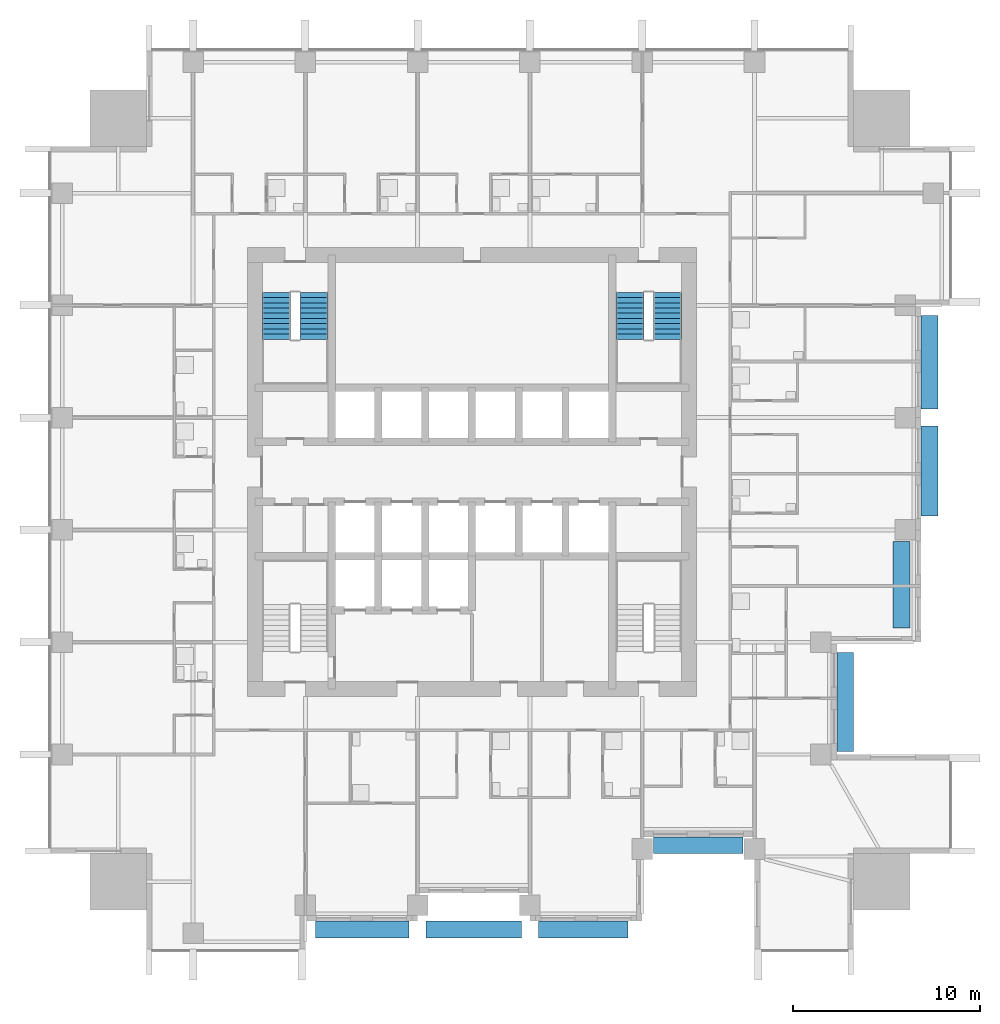
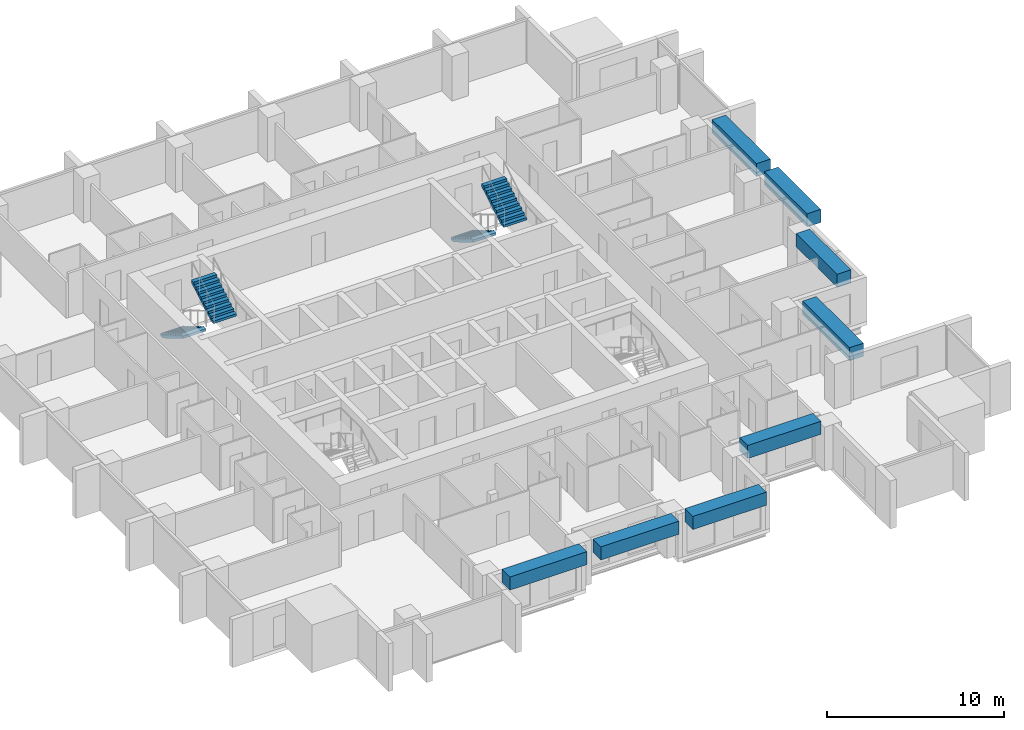
# One storey, part 9 of 11: 8 discrete accessories, 4 stair flights, 2 elements without a shape of their own.
"""IFC4 building model written with IfcOpenShell, lengths in metres."""

from ifc_helpers import new_model, si_unit, direction, frame, origin, origin_2d, place, context, subcontext, project, spatial, polyline, rectangle, outline, extrude, material, type_object, element, aggregate, save


model = new_model("IFC4")

# Units and contexts
model_context = context("Model", 3, precision=1e-05, world=origin(), true_north=direction((0.0, 1.0)))
body_context = subcontext(model_context, "Body", "Model", "MODEL_VIEW")
ifc_project = project(units=[si_unit("LENGTHUNIT", "METRE"), si_unit("AREAUNIT", "SQUARE_METRE"), si_unit("VOLUMEUNIT", "CUBIC_METRE"), si_unit("PLANEANGLEUNIT", "RADIAN"), si_unit("MASSUNIT", "GRAM", prefix="KILO")], contexts=[model_context])

# Site, building, storey
site_placement = place(None, origin())
site = spatial("IfcSite", under=ifc_project, at=site_placement, CompositionType="ELEMENT")
building_placement = place(site_placement, origin())
building = spatial("IfcBuilding", under=site, at=building_placement, Name="Amberfall Residences", CompositionType="ELEMENT")
storey_placement = place(building_placement, frame((0.0, 0.0, 95.199951171875)))
storey = spatial("IfcBuildingStorey", under=building, at=storey_placement, Name="L25", CompositionType="ELEMENT", Elevation=95.199951171875)

# Stair, stair flights
ifc_material = material(Name="Concrete C40", Category="concrete")
stair_type = type_object("IfcStairType", Name="Exit stair 20 risers 165.0 mm", PredefinedType="HALF_TURN_STAIR", material=ifc_material)
stair_1_placement = place(storey_placement, origin())
stair_1 = element("IfcStair", 1, at=stair_1_placement, inside=storey, type_object=stair_type, Name="L25 Exit stair 3", PredefinedType="HALF_TURN_STAIR")
stair_flight_type = type_object("IfcStairFlightType", Name="Stair flight 10 risers 165.0 mm", PredefinedType="STRAIGHT", material=ifc_material)
stair_flight_1_placement = place(storey_placement, frame((82.949951171875, 55.10009765625, 0.0), z_axis=(0.0, 0.0, 1.0), x_axis=(0.0, -1.0, 0.0)))
stair_flight_1 = element("IfcStairFlight", 2, at=stair_flight_1_placement, type_object=stair_flight_type, Name="ST3 flight 1", NumberOfRisers=10, NumberOfTreads=9, PredefinedType="STRAIGHT", RiserHeight=0.165, TreadLength=0.28, context=body_context, shape_type="SweptSolid", body=[
    extrude(outline(polyline([(0.0, 0.0), (0.0, 0.1650390625), (0.280029296875, 0.1650390625), (0.280029296875, 0.330078125), (0.56005859375, 0.330078125), (0.56005859375, 0.4951171875), (0.840087890625, 0.4951171875), (0.840087890625, 0.659912109375), (1.1201171875, 0.659912109375), (1.1201171875, 0.824951171875), (1.39990234375, 0.824951171875), (1.39990234375, 0.989990234375), (1.679931640625, 0.989990234375), (1.679931640625, 1.155029296875), (1.9599609375, 1.155029296875), (1.9599609375, 1.320068359375), (2.239990234375, 1.320068359375), (2.239990234375, 1.485107421875), (2.52001953125, 1.485107421875), (2.52001953125, 1.64990234375), (2.52001953125, 1.31103515625), (0.295166015625, 0.0), (0.0, 0.0)])), frame((0.0, 0.75, 0.0), z_axis=(0.0, -1.0, 0.0), x_axis=(1.0, 0.0, 0.0)), (0.0, 0.0, 1.0), 1.5),
])
stair_flight_2_placement = place(storey_placement, frame((84.949951171875, 52.580078125, 1.650146484375), z_axis=(0.0, 0.0, 1.0), x_axis=(0.0, 1.0, 0.0)))
stair_flight_2 = element("IfcStairFlight", 3, at=stair_flight_2_placement, type_object=stair_flight_type, Name="ST3 flight 2", NumberOfRisers=10, NumberOfTreads=9, PredefinedType="STRAIGHT", RiserHeight=0.165, TreadLength=0.28, context=body_context, shape_type="SweptSolid", body=[
    extrude(outline(polyline([(0.0, 0.0), (0.0, 0.1650390625), (0.280029296875, 0.1650390625), (0.280029296875, 0.330078125), (0.56005859375, 0.330078125), (0.56005859375, 0.4951171875), (0.840087890625, 0.4951171875), (0.840087890625, 0.659912109375), (1.1201171875, 0.659912109375), (1.1201171875, 0.824951171875), (1.39990234375, 0.824951171875), (1.39990234375, 0.989990234375), (1.679931640625, 0.989990234375), (1.679931640625, 1.155029296875), (1.9599609375, 1.155029296875), (1.9599609375, 1.320068359375), (2.239990234375, 1.320068359375), (2.239990234375, 1.485107421875), (2.52001953125, 1.485107421875), (2.52001953125, 1.64990234375), (2.52001953125, 1.31103515625), (0.295166015625, 0.0), (0.0, 0.0)])), frame((0.0, 0.75, 0.0), z_axis=(0.0, -1.0, 0.0), x_axis=(1.0, 0.0, 0.0)), (0.0, 0.0, 1.0), 1.5),
])
aggregate(stair_1, [stair_flight_1, stair_flight_2])

stair_2_placement = place(storey_placement, origin())
stair_2 = element("IfcStair", 4, at=stair_2_placement, inside=storey, type_object=stair_type, Name="L25 Exit stair 4", PredefinedType="HALF_TURN_STAIR")
stair_flight_3_placement = place(storey_placement, frame((64.050048828125, 55.10009765625, 0.0), z_axis=(0.0, 0.0, 1.0), x_axis=(0.0, -1.0, 0.0)))
stair_flight_3 = element("IfcStairFlight", 5, at=stair_flight_3_placement, type_object=stair_flight_type, Name="ST3 flight 1", NumberOfRisers=10, NumberOfTreads=9, PredefinedType="STRAIGHT", RiserHeight=0.165, TreadLength=0.28, context=body_context, shape_type="SweptSolid", body=[
    extrude(outline(polyline([(0.0, 0.0), (0.0, 0.1650390625), (0.280029296875, 0.1650390625), (0.280029296875, 0.330078125), (0.56005859375, 0.330078125), (0.56005859375, 0.4951171875), (0.840087890625, 0.4951171875), (0.840087890625, 0.659912109375), (1.1201171875, 0.659912109375), (1.1201171875, 0.824951171875), (1.39990234375, 0.824951171875), (1.39990234375, 0.989990234375), (1.679931640625, 0.989990234375), (1.679931640625, 1.155029296875), (1.9599609375, 1.155029296875), (1.9599609375, 1.320068359375), (2.239990234375, 1.320068359375), (2.239990234375, 1.485107421875), (2.52001953125, 1.485107421875), (2.52001953125, 1.64990234375), (2.52001953125, 1.31103515625), (0.295166015625, 0.0), (0.0, 0.0)])), frame((0.0, 0.75, 0.0), z_axis=(0.0, -1.0, 0.0), x_axis=(1.0, 0.0, 0.0)), (0.0, 0.0, 1.0), 1.5),
])
stair_flight_4_placement = place(storey_placement, frame((66.050048828125, 52.580078125, 1.650146484375), z_axis=(0.0, 0.0, 1.0), x_axis=(0.0, 1.0, 0.0)))
stair_flight_4 = element("IfcStairFlight", 6, at=stair_flight_4_placement, type_object=stair_flight_type, Name="ST3 flight 2", NumberOfRisers=10, NumberOfTreads=9, PredefinedType="STRAIGHT", RiserHeight=0.165, TreadLength=0.28, context=body_context, shape_type="SweptSolid", body=[
    extrude(outline(polyline([(0.0, 0.0), (0.0, 0.1650390625), (0.280029296875, 0.1650390625), (0.280029296875, 0.330078125), (0.56005859375, 0.330078125), (0.56005859375, 0.4951171875), (0.840087890625, 0.4951171875), (0.840087890625, 0.659912109375), (1.1201171875, 0.659912109375), (1.1201171875, 0.824951171875), (1.39990234375, 0.824951171875), (1.39990234375, 0.989990234375), (1.679931640625, 0.989990234375), (1.679931640625, 1.155029296875), (1.9599609375, 1.155029296875), (1.9599609375, 1.320068359375), (2.239990234375, 1.320068359375), (2.239990234375, 1.485107421875), (2.52001953125, 1.485107421875), (2.52001953125, 1.64990234375), (2.52001953125, 1.31103515625), (0.295166015625, 0.0), (0.0, 0.0)])), frame((0.0, 0.75, 0.0), z_axis=(0.0, -1.0, 0.0), x_axis=(1.0, 0.0, 0.0)), (0.0, 0.0, 1.0), 1.5),
])
aggregate(stair_2, [stair_flight_3, stair_flight_4])

# Discrete accessories
discrete_accessory_1_placement = place(storey_placement, frame((68.64501953125, 21.050048828125, 2.400146484375), z_axis=(0.0, 0.0, 1.0), x_axis=(1.0, 0.0, 0.0)))
element("IfcDiscreteAccessory", 7, at=discrete_accessory_1_placement, inside=storey, Name="Planter box L26 S3", ObjectType="PLANTER BOX", PredefinedType="USERDEFINED", context=body_context, shape_type="SweptSolid", body=[
    extrude(rectangle(XDim=5.010009765625, YDim=0.89990234375, at=origin_2d()), origin(), (0.0, 0.0, 1.0), 0.89990234375),
])
discrete_accessory_2_placement = place(storey_placement, frame((98.949951171875, 45.550048828125, 2.400146484375), z_axis=(0.0, 0.0, 1.0), x_axis=(0.0, 1.0, 0.0)))
element("IfcDiscreteAccessory", 8, at=discrete_accessory_2_placement, inside=storey, Name="Planter box L26 E7", ObjectType="PLANTER BOX", PredefinedType="USERDEFINED", context=body_context, shape_type="SweptSolid", body=[
    extrude(rectangle(XDim=4.800048828125, YDim=0.89990234375, at=origin_2d()), origin(), (0.0, 0.0, 1.0), 0.89990234375),
])
discrete_accessory_3_placement = place(storey_placement, frame((98.949951171875, 51.35498046875, 2.400146484375), z_axis=(0.0, 0.0, 1.0), x_axis=(0.0, 1.0, 0.0)))
element("IfcDiscreteAccessory", 9, at=discrete_accessory_3_placement, inside=storey, Name="Planter box L26 E8", ObjectType="PLANTER BOX", PredefinedType="USERDEFINED", context=body_context, shape_type="SweptSolid", body=[
    extrude(rectangle(XDim=5.010009765625, YDim=0.89990234375, at=origin_2d()), origin(), (0.0, 0.0, 1.0), 0.89990234375),
])
discrete_accessory_4_placement = place(storey_placement, frame((94.449951171875, 33.205078125, 2.400146484375), z_axis=(0.0, 0.0, 1.0), x_axis=(0.0, 1.0, 0.0)))
element("IfcDiscreteAccessory", 10, at=discrete_accessory_4_placement, inside=storey, Name="Planter box L26 E3", ObjectType="PLANTER BOX", PredefinedType="USERDEFINED", context=body_context, shape_type="SweptSolid", body=[
    extrude(rectangle(XDim=5.31005859375, YDim=0.89990234375, at=origin_2d()), origin(), (0.0, 0.0, 1.0), 0.89990234375),
])
discrete_accessory_5_placement = place(storey_placement, frame((74.60009765625, 21.050048828125, 2.400146484375), z_axis=(0.0, 0.0, 1.0), x_axis=(1.0, 0.0, 0.0)))
element("IfcDiscreteAccessory", 11, at=discrete_accessory_5_placement, inside=storey, Name="Planter box L26 S4", ObjectType="PLANTER BOX", PredefinedType="USERDEFINED", context=body_context, shape_type="SweptSolid", body=[
    extrude(rectangle(XDim=5.10009765625, YDim=0.89990234375, at=origin_2d()), origin(), (0.0, 0.0, 1.0), 0.89990234375),
])
discrete_accessory_6_placement = place(storey_placement, frame((80.449951171875, 21.050048828125, 2.400146484375), z_axis=(0.0, 0.0, 1.0), x_axis=(1.0, 0.0, 0.0)))
element("IfcDiscreteAccessory", 12, at=discrete_accessory_6_placement, inside=storey, Name="Planter box L26 S5", ObjectType="PLANTER BOX", PredefinedType="USERDEFINED", context=body_context, shape_type="SweptSolid", body=[
    extrude(rectangle(XDim=4.800048828125, YDim=0.89990234375, at=origin_2d()), origin(), (0.0, 0.0, 1.0), 0.89990234375),
])
discrete_accessory_7_placement = place(storey_placement, frame((86.60009765625, 25.550048828125, 2.400146484375), z_axis=(0.0, 0.0, 1.0), x_axis=(1.0, 0.0, 0.0)))
element("IfcDiscreteAccessory", 13, at=discrete_accessory_7_placement, inside=storey, Name="Planter box L26 S7", ObjectType="PLANTER BOX", PredefinedType="USERDEFINED", context=body_context, shape_type="SweptSolid", body=[
    extrude(rectangle(XDim=4.780029296875, YDim=0.89990234375, at=origin_2d()), origin(), (0.0, 0.0, 1.0), 0.89990234375),
])
discrete_accessory_8_placement = place(storey_placement, frame((97.449951171875, 39.469970703125, 2.400146484375), z_axis=(0.0, 0.0, 1.0), x_axis=(0.0, 1.0, 0.0)))
element("IfcDiscreteAccessory", 14, at=discrete_accessory_8_placement, inside=storey, Name="Planter box L26 E5", ObjectType="PLANTER BOX", PredefinedType="USERDEFINED", context=body_context, shape_type="SweptSolid", body=[
    extrude(rectangle(XDim=4.639892578125, YDim=0.89990234375, at=origin_2d()), origin(), (0.0, 0.0, 1.0), 0.89990234375),
])

save(model, "model.ifc")
